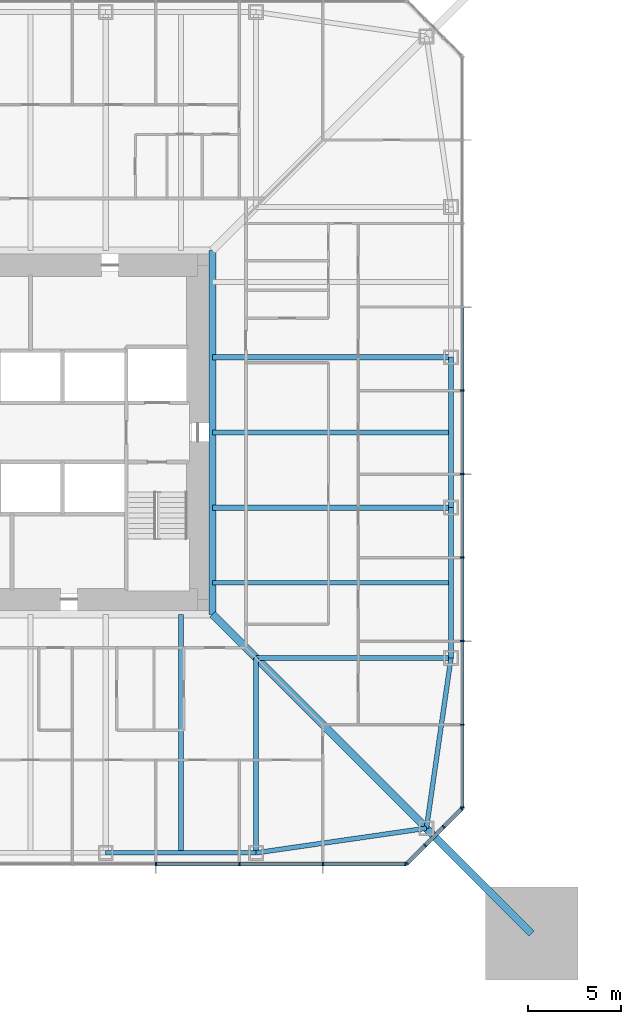
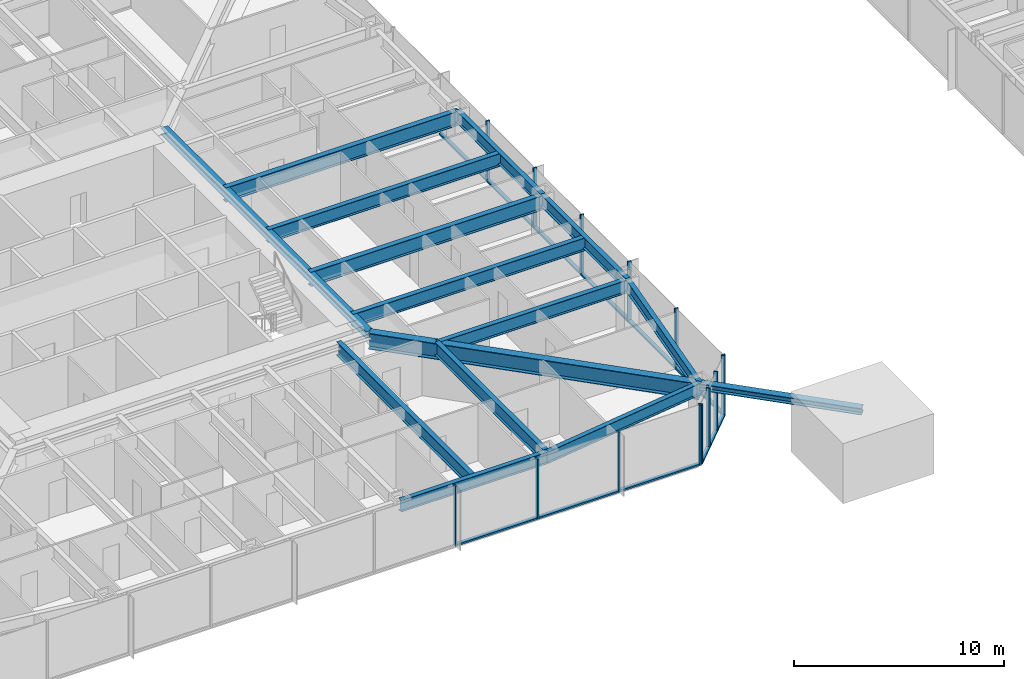
# One storey, part 5 of 26: 27 members, 14 beams, 3 elements without a shape of their own.
"""IFC4 building model written with IfcOpenShell, lengths in metres."""

from ifc_helpers import new_model, si_unit, direction, frame, origin, origin_2d, place, context, subcontext, project, spatial, rectangle, i_section, extrude, material, material_profile, profile_set, type_object, element, aggregate, save


model = new_model("IFC4")

# Units and contexts
model_context = context("Model", 3, precision=1e-05, world=origin(), true_north=direction((0.0, 1.0)))
body_context = subcontext(model_context, "Body", "Model", "MODEL_VIEW")
ifc_project = project(units=[si_unit("LENGTHUNIT", "METRE"), si_unit("AREAUNIT", "SQUARE_METRE"), si_unit("VOLUMEUNIT", "CUBIC_METRE"), si_unit("PLANEANGLEUNIT", "RADIAN"), si_unit("MASSUNIT", "GRAM", prefix="KILO")], contexts=[model_context])

# Site, building, storey
site_placement = place(None, origin())
site = spatial("IfcSite", under=ifc_project, at=site_placement, CompositionType="ELEMENT")
building_placement = place(site_placement, origin())
building = spatial("IfcBuilding", under=site, at=building_placement, Name="Iwan Alto Co-Living Towers", CompositionType="ELEMENT")
storey_placement = place(building_placement, frame((0.0, 0.0, 60.5)))
storey = spatial("IfcBuildingStorey", under=building, at=storey_placement, Name="L16", CompositionType="ELEMENT", Elevation=60.5)

# Curtain wall, members
ifc_material_1 = material(Name="Bronze aluminium unitised frame", Category="aluminium")
curtain_wall_type_1 = type_object("IfcCurtainWallType", Name="CURTAIN WALL CW-A", PredefinedType="NOTDEFINED", material=ifc_material_1)
curtain_wall_1_placement = place(storey_placement, origin())
curtain_wall_1 = element("IfcCurtainWall", 1, at=curtain_wall_1_placement, inside=storey, type_object=curtain_wall_type_1, Name="T1 curtain wall S L16", PredefinedType="NOTDEFINED")
ifc_material_2 = material(Name="Aluminium 6063-T6 bronze anodised", Category="aluminium")
ifc_material_profile_1 = material_profile(ifc_material_2, rectangle(XDim=0.199951171875, YDim=0.080078125, at=origin_2d()), Name="AL 80X200")
ifc_profile_set_1 = profile_set([ifc_material_profile_1], Name="Aluminium 6063-T6 bronze anodised")
member_type_1 = type_object("IfcMemberType", Name="CW-A MULLION 80X200", PredefinedType="MULLION", material=ifc_profile_set_1)
member_1_placement = place(storey_placement, frame((6.75, -23.25, 0.0), z_axis=(0.0, 0.0, 1.0), x_axis=(0.0, 1.0, 0.0)))
member_1 = element("IfcMember", 2, at=member_1_placement, type_object=member_type_1, Name="CW-A mullion 7", PredefinedType="MULLION", context=body_context, shape_type="SweptSolid", body=[
    extrude(rectangle(XDim=0.199951171875, YDim=0.080078125, at=origin_2d()), origin(), (0.0, 0.0, 1.0), 3.5),
])
member_2_placement = place(storey_placement, frame((11.25, -23.25, 0.0), z_axis=(0.0, 0.0, 1.0), x_axis=(0.0, 1.0, 0.0)))
member_2 = element("IfcMember", 3, at=member_2_placement, type_object=member_type_1, Name="CW-A mullion 8", PredefinedType="MULLION", context=body_context, shape_type="SweptSolid", body=[
    extrude(rectangle(XDim=0.199951171875, YDim=0.080078125, at=origin_2d()), origin(), (0.0, 0.0, 1.0), 3.5),
])
member_3_placement = place(storey_placement, frame((15.75, -23.25, 0.0), z_axis=(0.0, 0.0, 1.0), x_axis=(0.0, 1.0, 0.0)))
member_3 = element("IfcMember", 4, at=member_3_placement, type_object=member_type_1, Name="CW-A mullion 9", PredefinedType="MULLION", context=body_context, shape_type="SweptSolid", body=[
    extrude(rectangle(XDim=0.199951171875, YDim=0.080078125, at=origin_2d()), origin(), (0.0, 0.0, 1.0), 3.5),
])
member_4_placement = place(storey_placement, frame((20.2099609375, -23.25, 0.0), z_axis=(0.0, 0.0, 1.0), x_axis=(0.0, 1.0, 0.0)))
member_4 = element("IfcMember", 5, at=member_4_placement, type_object=member_type_1, Name="CW-A mullion 10", PredefinedType="MULLION", context=body_context, shape_type="SweptSolid", body=[
    extrude(rectangle(XDim=0.199951171875, YDim=0.080078125, at=origin_2d()), origin(), (0.0, 0.0, 1.0), 3.5),
])

curtain_wall_2_placement = place(storey_placement, origin())
curtain_wall_2 = element("IfcCurtainWall", 6, at=curtain_wall_2_placement, inside=storey, type_object=curtain_wall_type_1, Name="T1 curtain wall E L16", PredefinedType="NOTDEFINED")
member_5_placement = place(storey_placement, frame((23.25, -20.2099609375, 0.0), z_axis=(0.0, 0.0, 1.0), x_axis=(-1.0, 0.0, 0.0)))
member_5 = element("IfcMember", 7, at=member_5_placement, type_object=member_type_1, Name="CW-A mullion 1", PredefinedType="MULLION", context=body_context, shape_type="SweptSolid", body=[
    extrude(rectangle(XDim=0.199951171875, YDim=0.080078125, at=origin_2d()), origin(), (0.0, 0.0, 1.0), 3.5),
])
member_6_placement = place(storey_placement, frame((23.25, -15.75, 0.0), z_axis=(0.0, 0.0, 1.0), x_axis=(-1.0, 0.0, 0.0)))
member_6 = element("IfcMember", 8, at=member_6_placement, type_object=member_type_1, Name="CW-A mullion 2", PredefinedType="MULLION", context=body_context, shape_type="SweptSolid", body=[
    extrude(rectangle(XDim=0.199951171875, YDim=0.080078125, at=origin_2d()), origin(), (0.0, 0.0, 1.0), 3.5),
])
member_7_placement = place(storey_placement, frame((23.25, -11.25, 0.0), z_axis=(0.0, 0.0, 1.0), x_axis=(-1.0, 0.0, 0.0)))
member_7 = element("IfcMember", 9, at=member_7_placement, type_object=member_type_1, Name="CW-A mullion 3", PredefinedType="MULLION", context=body_context, shape_type="SweptSolid", body=[
    extrude(rectangle(XDim=0.199951171875, YDim=0.080078125, at=origin_2d()), origin(), (0.0, 0.0, 1.0), 3.5),
])
member_8_placement = place(storey_placement, frame((23.25, -6.75, 0.0), z_axis=(0.0, 0.0, 1.0), x_axis=(-1.0, 0.0, 0.0)))
member_8 = element("IfcMember", 10, at=member_8_placement, type_object=member_type_1, Name="CW-A mullion 4", PredefinedType="MULLION", context=body_context, shape_type="SweptSolid", body=[
    extrude(rectangle(XDim=0.199951171875, YDim=0.080078125, at=origin_2d()), origin(), (0.0, 0.0, 1.0), 3.5),
])
member_9_placement = place(storey_placement, frame((23.25, -2.25, 0.0), z_axis=(0.0, 0.0, 1.0), x_axis=(-1.0, 0.0, 0.0)))
member_9 = element("IfcMember", 11, at=member_9_placement, type_object=member_type_1, Name="CW-A mullion 5", PredefinedType="MULLION", context=body_context, shape_type="SweptSolid", body=[
    extrude(rectangle(XDim=0.199951171875, YDim=0.080078125, at=origin_2d()), origin(), (0.0, 0.0, 1.0), 3.5),
])
member_10_placement = place(storey_placement, frame((23.25, 2.25, 0.0), z_axis=(0.0, 0.0, 1.0), x_axis=(-1.0, 0.0, 0.0)))
member_10 = element("IfcMember", 12, at=member_10_placement, type_object=member_type_1, Name="CW-A mullion 6", PredefinedType="MULLION", context=body_context, shape_type="SweptSolid", body=[
    extrude(rectangle(XDim=0.199951171875, YDim=0.080078125, at=origin_2d()), origin(), (0.0, 0.0, 1.0), 3.5),
])

# Member
ifc_material_3 = material(Name="Aluminium 6063-T6 bronze anodised", Category="aluminium")
ifc_material_profile_2 = material_profile(ifc_material_3, rectangle(XDim=0.199951171875, YDim=0.10009765625, at=origin_2d()), Name="AL 200X100")
ifc_profile_set_2 = profile_set([ifc_material_profile_2], Name="Aluminium 6063-T6 bronze anodised")
member_type_2 = type_object("IfcMemberType", Name="CW-A TRANSOM 200X100", PredefinedType="USERDEFINED", material=ifc_profile_set_2)
member_11_placement = place(storey_placement, frame((6.7900390625, -23.25, 0.050048828125), z_axis=(1.0, 0.0, 0.0), x_axis=(0.0, 1.0, 0.0)))
member_11 = element("IfcMember", 13, at=member_11_placement, type_object=member_type_2, Name="CW-A transom 7.1", ObjectType="TRANSOM", PredefinedType="USERDEFINED", context=body_context, shape_type="SweptSolid", body=[
    extrude(rectangle(XDim=0.199951171875, YDim=0.10009765625, at=origin_2d()), origin(), (0.0, 0.0, 1.0), 4.419921875),
])

member_12_placement = place(storey_placement, frame((11.2900390625, -23.25, 0.050048828125), z_axis=(1.0, 0.0, 0.0), x_axis=(0.0, 1.0, 0.0)))
member_12 = element("IfcMember", 14, at=member_12_placement, type_object=member_type_2, Name="CW-A transom 8.1", ObjectType="TRANSOM", PredefinedType="USERDEFINED", context=body_context, shape_type="SweptSolid", body=[
    extrude(rectangle(XDim=0.199951171875, YDim=0.10009765625, at=origin_2d()), origin(), (0.0, 0.0, 1.0), 4.419921875),
])

member_13_placement = place(storey_placement, frame((15.7900390625, -23.25, 0.050048828125), z_axis=(1.0, 0.0, 0.0), x_axis=(0.0, 1.0, 0.0)))
member_13 = element("IfcMember", 15, at=member_13_placement, type_object=member_type_2, Name="CW-A transom 9.1", ObjectType="TRANSOM", PredefinedType="USERDEFINED", context=body_context, shape_type="SweptSolid", body=[
    extrude(rectangle(XDim=0.199951171875, YDim=0.10009765625, at=origin_2d()), origin(), (0.0, 0.0, 1.0), 4.3798828125),
])

aggregate(curtain_wall_1, [member_1, member_2, member_3, member_4, member_11, member_12, member_13])

member_14_placement = place(storey_placement, frame((23.25, -20.169921875, 0.050048828125), z_axis=(0.0, 1.0, 0.0), x_axis=(-1.0, 0.0, 0.0)))
member_14 = element("IfcMember", 16, at=member_14_placement, type_object=member_type_2, Name="CW-A transom 1.1", ObjectType="TRANSOM", PredefinedType="USERDEFINED", context=body_context, shape_type="SweptSolid", body=[
    extrude(rectangle(XDim=0.199951171875, YDim=0.10009765625, at=origin_2d()), origin(), (0.0, 0.0, 1.0), 4.3798828125),
])

member_15_placement = place(storey_placement, frame((23.25, -15.7099609375, 0.050048828125), z_axis=(0.0, 1.0, 0.0), x_axis=(-1.0, 0.0, 0.0)))
member_15 = element("IfcMember", 17, at=member_15_placement, type_object=member_type_2, Name="CW-A transom 2.1", ObjectType="TRANSOM", PredefinedType="USERDEFINED", context=body_context, shape_type="SweptSolid", body=[
    extrude(rectangle(XDim=0.199951171875, YDim=0.10009765625, at=origin_2d()), origin(), (0.0, 0.0, 1.0), 4.419921875),
])

member_16_placement = place(storey_placement, frame((23.25, -11.2099609375, 0.050048828125), z_axis=(0.0, 1.0, 0.0), x_axis=(-1.0, 0.0, 0.0)))
member_16 = element("IfcMember", 18, at=member_16_placement, type_object=member_type_2, Name="CW-A transom 3.1", ObjectType="TRANSOM", PredefinedType="USERDEFINED", context=body_context, shape_type="SweptSolid", body=[
    extrude(rectangle(XDim=0.199951171875, YDim=0.10009765625, at=origin_2d()), origin(), (0.0, 0.0, 1.0), 4.419921875),
])

member_17_placement = place(storey_placement, frame((23.25, -6.7099609375, 0.050048828125), z_axis=(0.0, 1.0, 0.0), x_axis=(-1.0, 0.0, 0.0)))
member_17 = element("IfcMember", 19, at=member_17_placement, type_object=member_type_2, Name="CW-A transom 4.1", ObjectType="TRANSOM", PredefinedType="USERDEFINED", context=body_context, shape_type="SweptSolid", body=[
    extrude(rectangle(XDim=0.199951171875, YDim=0.10009765625, at=origin_2d()), origin(), (0.0, 0.0, 1.0), 4.419921875),
])

member_18_placement = place(storey_placement, frame((23.25, -2.2099609375, 0.050048828125), z_axis=(0.0, 1.0, 0.0), x_axis=(-1.0, 0.0, 0.0)))
member_18 = element("IfcMember", 20, at=member_18_placement, type_object=member_type_2, Name="CW-A transom 5.1", ObjectType="TRANSOM", PredefinedType="USERDEFINED", context=body_context, shape_type="SweptSolid", body=[
    extrude(rectangle(XDim=0.199951171875, YDim=0.10009765625, at=origin_2d()), origin(), (0.0, 0.0, 1.0), 4.419921875),
])

member_19_placement = place(storey_placement, frame((23.25, 2.2900390625, 0.050048828125), z_axis=(0.0, 1.0, 0.0), x_axis=(-1.0, 0.0, 0.0)))
member_19 = element("IfcMember", 21, at=member_19_placement, type_object=member_type_2, Name="CW-A transom 6.1", ObjectType="TRANSOM", PredefinedType="USERDEFINED", context=body_context, shape_type="SweptSolid", body=[
    extrude(rectangle(XDim=0.199951171875, YDim=0.10009765625, at=origin_2d()), origin(), (0.0, 0.0, 1.0), 4.419921875),
])

aggregate(curtain_wall_2, [member_5, member_6, member_7, member_8, member_9, member_10, member_14, member_15, member_16, member_17, member_18, member_19])

# Curtain wall, members
ifc_material_4 = material(Name="Bronze aluminium unitised frame", Category="aluminium")
curtain_wall_type_2 = type_object("IfcCurtainWallType", Name="CURTAIN WALL CW-B", PredefinedType="NOTDEFINED", material=ifc_material_4)
curtain_wall_3_placement = place(storey_placement, origin())
curtain_wall_3 = element("IfcCurtainWall", 22, at=curtain_wall_3_placement, inside=storey, type_object=curtain_wall_type_2, Name="T1 chamfer curtain wall SE L16", PredefinedType="NOTDEFINED")
ifc_material_5 = material(Name="Aluminium 6063-T6 bronze anodised", Category="aluminium")
ifc_material_profile_3 = material_profile(ifc_material_5, rectangle(XDim=0.199951171875, YDim=0.080078125, at=origin_2d()), Name="AL 80X200")
ifc_profile_set_3 = profile_set([ifc_material_profile_3], Name="Aluminium 6063-T6 bronze anodised")
member_type_3 = type_object("IfcMemberType", Name="CW-B MULLION 80X200", PredefinedType="MULLION", material=ifc_profile_set_3)
member_20_placement = place(storey_placement, frame((20.2783203125, -23.2216796875, 0.0), z_axis=(0.0, 0.0, 1.0), x_axis=(-0.707106781187, 0.707106781187, 0.0)))
member_20 = element("IfcMember", 23, at=member_20_placement, type_object=member_type_3, Name="CW-B mullion 1", PredefinedType="MULLION", context=body_context, shape_type="SweptSolid", body=[
    extrude(rectangle(XDim=0.199951171875, YDim=0.080078125, at=origin_2d()), origin(), (0.0, 0.0, 1.0), 3.5),
])
member_21_placement = place(storey_placement, frame((21.25, -22.25, 0.0), z_axis=(0.0, 0.0, 1.0), x_axis=(-0.707106781187, 0.707106781187, 0.0)))
member_21 = element("IfcMember", 24, at=member_21_placement, type_object=member_type_3, Name="CW-B mullion 2", PredefinedType="MULLION", context=body_context, shape_type="SweptSolid", body=[
    extrude(rectangle(XDim=0.199951171875, YDim=0.080078125, at=origin_2d()), origin(), (0.0, 0.0, 1.0), 3.5),
])
member_22_placement = place(storey_placement, frame((22.25, -21.25, 0.0), z_axis=(0.0, 0.0, 1.0), x_axis=(-0.707106781187, 0.707106781187, 0.0)))
member_22 = element("IfcMember", 25, at=member_22_placement, type_object=member_type_3, Name="CW-B mullion 3", PredefinedType="MULLION", context=body_context, shape_type="SweptSolid", body=[
    extrude(rectangle(XDim=0.199951171875, YDim=0.080078125, at=origin_2d()), origin(), (0.0, 0.0, 1.0), 3.5),
])
member_23_placement = place(storey_placement, frame((23.2216796875, -20.2783203125, 0.0), z_axis=(0.0, 0.0, 1.0), x_axis=(-0.707106781187, 0.707106781187, 0.0)))
member_23 = element("IfcMember", 26, at=member_23_placement, type_object=member_type_3, Name="CW-B mullion 4", PredefinedType="MULLION", context=body_context, shape_type="SweptSolid", body=[
    extrude(rectangle(XDim=0.199951171875, YDim=0.080078125, at=origin_2d()), origin(), (0.0, 0.0, 1.0), 3.5),
])
ifc_material_6 = material(Name="Aluminium 6063-T6 bronze anodised", Category="aluminium")
ifc_material_profile_4 = material_profile(ifc_material_6, rectangle(XDim=0.199951171875, YDim=0.10009765625, at=origin_2d()), Name="AL 200X100")
ifc_profile_set_4 = profile_set([ifc_material_profile_4], Name="Aluminium 6063-T6 bronze anodised")
member_type_4 = type_object("IfcMemberType", Name="CW-B TRANSOM 200X100", PredefinedType="USERDEFINED", material=ifc_profile_set_4)
member_24_placement = place(storey_placement, frame((20.306640625, -23.193359375, 0.050048828125), z_axis=(0.707106781187, 0.707106781187, 0.0), x_axis=(-0.707106781187, 0.707106781187, 0.0)))
member_24 = element("IfcMember", 27, at=member_24_placement, type_object=member_type_4, Name="CW-B transom 1.1", ObjectType="TRANSOM", PredefinedType="USERDEFINED", context=body_context, shape_type="SweptSolid", body=[
    extrude(rectangle(XDim=0.199951171875, YDim=0.10009765625, at=origin_2d()), origin(), (0.0, 0.0, 1.0), 1.2939453125),
])
member_25_placement = place(storey_placement, frame((21.2783203125, -22.2216796875, 0.050048828125), z_axis=(0.707106781187, 0.707106781187, 0.0), x_axis=(-0.707106781187, 0.707106781187, 0.0)))
member_25 = element("IfcMember", 28, at=member_25_placement, type_object=member_type_4, Name="CW-B transom 2.1", ObjectType="TRANSOM", PredefinedType="USERDEFINED", context=body_context, shape_type="SweptSolid", body=[
    extrude(rectangle(XDim=0.199951171875, YDim=0.10009765625, at=origin_2d()), origin(), (0.0, 0.0, 1.0), 1.334228515625),
])
member_26_placement = place(storey_placement, frame((22.2783203125, -21.2216796875, 0.050048828125), z_axis=(0.707106781187, 0.707106781187, 0.0), x_axis=(-0.707106781187, 0.707106781187, 0.0)))
member_26 = element("IfcMember", 29, at=member_26_placement, type_object=member_type_4, Name="CW-B transom 3.1", ObjectType="TRANSOM", PredefinedType="USERDEFINED", context=body_context, shape_type="SweptSolid", body=[
    extrude(rectangle(XDim=0.199951171875, YDim=0.10009765625, at=origin_2d()), origin(), (0.0, 0.0, 1.0), 1.2939453125),
])
aggregate(curtain_wall_3, [member_20, member_21, member_22, member_23, member_24, member_25, member_26])

# Beams
ifc_material_7 = material(Name="Steel ASTM A992 Gr 50", Category="steel")
ifc_material_profile_5 = material_profile(ifc_material_7, i_section(OverallWidth=0.398681640625, OverallDepth=0.385986328125, WebThickness=0.02099609375, FlangeThickness=0.033203125, at=origin_2d()), Name="W14X176")
ifc_profile_set_5 = profile_set([ifc_material_profile_5], Name="Steel ASTM A992 Gr 50")
beam_type_1 = type_object("IfcBeamType", Name="T1 CORE LEDGER BEAM W14X176", PredefinedType="BEAM", material=ifc_profile_set_5)
beam_1_placement = place(storey_placement, frame((9.79931640625, -9.79931640625, 3.076904296875), z_axis=(0.0, 1.0, 0.0), x_axis=(-1.0, 0.0, 0.0)))
element("IfcBeam", 30, at=beam_1_placement, inside=storey, type_object=beam_type_1, Name="T1 core ledger beam E L17", PredefinedType="BEAM", context=body_context, shape_type="SweptSolid", body=[
    extrude(i_section(OverallWidth=0.398681640625, OverallDepth=0.385986328125, WebThickness=0.02099609375, FlangeThickness=0.033203125, at=origin_2d()), origin(), (0.0, 0.0, 1.0), 19.5986328125),
])
ifc_material_8 = material(Name="Steel ASTM A992 Gr 50", Category="steel")
ifc_material_profile_6 = material_profile(ifc_material_8, i_section(OverallWidth=0.419189453125, OverallDepth=0.927001953125, WebThickness=0.019287109375, FlangeThickness=0.031982421875, at=origin_2d()), Name="W36X231")
ifc_profile_set_6 = profile_set([ifc_material_profile_6], Name="Steel ASTM A992 Gr 50")
beam_type_2 = type_object("IfcBeamType", Name="T1 CORNER GIRDER W36X231", PredefinedType="BEAM", material=ifc_profile_set_6)
beam_2_placement = place(storey_placement, frame((21.32568359375, -21.32568359375, 2.806396484375), z_axis=(-0.707106781187, 0.707106781187, 0.0), x_axis=(-0.707106781187, -0.707106781187, 0.0)))
element("IfcBeam", 31, at=beam_2_placement, inside=storey, type_object=beam_type_2, Name="T1 corner girder CSE L17", PredefinedType="BEAM", context=body_context, shape_type="SweptSolid", body=[
    extrude(i_section(OverallWidth=0.419189453125, OverallDepth=0.927001953125, WebThickness=0.019287109375, FlangeThickness=0.031982421875, at=origin_2d()), origin(), (0.0, 0.0, 1.0), 16.30078125),
])
ifc_material_9 = material(Name="Steel ASTM A992 Gr 50", Category="steel")
ifc_material_profile_7 = material_profile(ifc_material_9, i_section(OverallWidth=0.25390625, OverallDepth=0.683349609375, WebThickness=0.012451171875, FlangeThickness=0.018798828125, at=origin_2d()), Name="W27X94")
ifc_profile_set_7 = profile_set([ifc_material_profile_7], Name="Steel ASTM A992 Gr 50")
beam_type_3 = type_object("IfcBeamType", Name="T1 EDGE BEAM W27X94", PredefinedType="BEAM", material=ifc_profile_set_7)
beam_3_placement = place(storey_placement, frame((4.050048828125, -22.64990234375, 2.928466796875), z_axis=(1.0, 0.0, 0.0), x_axis=(0.0, 1.0, 0.0)))
element("IfcBeam", 32, at=beam_3_placement, inside=storey, type_object=beam_type_3, Name="T1 edge beam S3 L17", PredefinedType="BEAM", context=body_context, shape_type="SweptSolid", body=[
    extrude(i_section(OverallWidth=0.25390625, OverallDepth=0.683349609375, WebThickness=0.012451171875, FlangeThickness=0.018798828125, at=origin_2d()), origin(), (0.0, 0.0, 1.0), 8.099853515625),
])
for number, where, z_axis, x_axis, name in (
    (33, (12.14990234375, -22.64990234375, 2.928466796875), (0.989746234347, 0.142836940589, 0.0), (-0.142836940589, 0.989746234347, 0.0), "T1 edge beam S4 L17"),
    (34, (21.32568359375, -21.32568359375, 2.928466796875), (0.142836940589, 0.989746234347, 0.0), (-0.989746234347, 0.142836940589, 0.0), "T1 edge beam CSE L17"),
):
    element("IfcBeam", number, at=place(storey_placement, frame(where, z_axis=z_axis, x_axis=x_axis)), inside=storey, type_object=beam_type_3, Name=name, PredefinedType="BEAM", context=body_context, shape_type="SweptSolid", body=[
        extrude(i_section(OverallWidth=0.25390625, OverallDepth=0.683349609375, WebThickness=0.012451171875, FlangeThickness=0.018798828125, at=origin_2d()), origin(), (0.0, 0.0, 1.0), 9.270751953125),
    ])
beam_4_placement = place(storey_placement, frame((22.64990234375, -12.14990234375, 2.928466796875), z_axis=(0.0, 1.0, 0.0), x_axis=(-1.0, 0.0, 0.0)))
element("IfcBeam", 35, at=beam_4_placement, inside=storey, type_object=beam_type_3, Name="T1 edge beam E1 L17", PredefinedType="BEAM", context=body_context, shape_type="SweptSolid", body=[
    extrude(i_section(OverallWidth=0.25390625, OverallDepth=0.683349609375, WebThickness=0.012451171875, FlangeThickness=0.018798828125, at=origin_2d()), origin(), (0.0, 0.0, 1.0), 8.099853515625),
])
beam_5_placement = place(storey_placement, frame((22.64990234375, -4.050048828125, 2.928466796875), z_axis=(0.0, 1.0, 0.0), x_axis=(-1.0, 0.0, 0.0)))
element("IfcBeam", 36, at=beam_5_placement, inside=storey, type_object=beam_type_3, Name="T1 edge beam E2 L17", PredefinedType="BEAM", context=body_context, shape_type="SweptSolid", body=[
    extrude(i_section(OverallWidth=0.25390625, OverallDepth=0.683349609375, WebThickness=0.012451171875, FlangeThickness=0.018798828125, at=origin_2d()), origin(), (0.0, 0.0, 1.0), 8.10009765625),
])

# Member
ifc_material_10 = material(Name="Steel ASTM A992 Gr 50", Category="steel")
ifc_material_profile_8 = material_profile(ifc_material_10, i_section(OverallWidth=0.393798828125, OverallDepth=0.3759765625, WebThickness=0.017333984375, FlangeThickness=0.027587890625, at=origin_2d()), Name="W14X145")
ifc_profile_set_8 = profile_set([ifc_material_profile_8], Name="Steel ASTM A992 Gr 50")
member_type_5 = type_object("IfcMemberType", Name="T1 MEGA COLUMN FLOOR TIE W14X145", PredefinedType="STRUT", material=ifc_profile_set_8)
member_27_placement = place(storey_placement, frame((27.0, -27.0, 3.08203125), z_axis=(-0.707106781187, 0.707106781187, 0.0), x_axis=(-0.707106781187, -0.707106781187, 0.0)))
element("IfcMember", 37, at=member_27_placement, inside=storey, type_object=member_type_5, Name="T1 mega column floor tie SE L17", PredefinedType="STRUT", context=body_context, shape_type="SweptSolid", body=[
    extrude(i_section(OverallWidth=0.393798828125, OverallDepth=0.3759765625, WebThickness=0.017333984375, FlangeThickness=0.027587890625, at=origin_2d()), origin(), (0.0, 0.0, 1.0), 8.024658203125),
])

# Beams
ifc_material_11 = material(Name="Steel ASTM A992 Gr 50", Category="steel")
ifc_material_profile_9 = material_profile(ifc_material_11, i_section(OverallWidth=0.2666015625, OverallDepth=0.761962890625, WebThickness=0.014404296875, FlangeThickness=0.021484375, at=origin_2d()), Name="W30X116")
ifc_profile_set_9 = profile_set([ifc_material_profile_9], Name="Steel ASTM A992 Gr 50")
beam_type_4 = type_object("IfcBeamType", Name="T1 RADIAL BEAM W30X116", PredefinedType="BEAM", material=ifc_profile_set_9)
for number, where, z_axis, x_axis, name in (
    (38, (12.14990234375, -22.64990234375, 2.888916015625), (0.0, 1.0, 0.0), (-1.0, 0.0, 0.0), "T1 radial beam S4 L17"),
    (39, (22.64990234375, -12.14990234375, 2.888916015625), (-1.0, 0.0, 0.0), (0.0, -1.0, 0.0), "T1 radial beam E1 L17"),
):
    element("IfcBeam", number, at=place(storey_placement, frame(where, z_axis=z_axis, x_axis=x_axis)), inside=storey, type_object=beam_type_4, Name=name, PredefinedType="BEAM", context=body_context, shape_type="SweptSolid", body=[
        extrude(i_section(OverallWidth=0.2666015625, OverallDepth=0.761962890625, WebThickness=0.014404296875, FlangeThickness=0.021484375, at=origin_2d()), origin(), (0.0, 0.0, 1.0), 10.5),
    ])
ifc_material_12 = material(Name="Steel ASTM A992 Gr 50", Category="steel")
ifc_material_profile_10 = material_profile(ifc_material_12, i_section(OverallWidth=0.2919921875, OverallDepth=0.8408203125, WebThickness=0.0146484375, FlangeThickness=0.021728515625, at=origin_2d()), Name="W33X130")
ifc_profile_set_10 = profile_set([ifc_material_profile_10], Name="Steel ASTM A992 Gr 50")
beam_type_5 = type_object("IfcBeamType", Name="T1 RADIAL BEAM W33X130", PredefinedType="BEAM", material=ifc_profile_set_10)
for number, where, z_axis, x_axis, name in (
    (40, (22.64990234375, -4.050048828125, 2.849609375), (-1.0, 0.0, 0.0), (0.0, -1.0, 0.0), "T1 radial beam E2 L17"),
    (41, (22.64990234375, 4.050048828125, 2.849609375), (-1.0, 0.0, 0.0), (0.0, -1.0, 0.0), "T1 radial beam E3 L17"),
):
    element("IfcBeam", number, at=place(storey_placement, frame(where, z_axis=z_axis, x_axis=x_axis)), inside=storey, type_object=beam_type_5, Name=name, PredefinedType="BEAM", context=body_context, shape_type="SweptSolid", body=[
        extrude(i_section(OverallWidth=0.2919921875, OverallDepth=0.8408203125, WebThickness=0.0146484375, FlangeThickness=0.021728515625, at=origin_2d()), origin(), (0.0, 0.0, 1.0), 12.8505859375),
    ])
ifc_material_13 = material(Name="Steel ASTM A992 Gr 50", Category="steel")
ifc_material_profile_11 = material_profile(ifc_material_13, i_section(OverallWidth=0.2666015625, OverallDepth=0.761962890625, WebThickness=0.014404296875, FlangeThickness=0.021484375, at=origin_2d()), Name="W30X116")
ifc_profile_set_11 = profile_set([ifc_material_profile_11], Name="Steel ASTM A992 Gr 50")
beam_type_6 = type_object("IfcBeamType", Name="T1 SECONDARY BEAM W30X116", PredefinedType="JOIST", material=ifc_profile_set_11)
for number, where, z_axis, x_axis, name in (
    (42, (8.10009765625, -22.64990234375, 2.888916015625), (0.0, 1.0, 0.0), (-1.0, 0.0, 0.0), "T1 secondary beam S3 L17"),
    (43, (22.64990234375, -8.10009765625, 2.888916015625), (-1.0, 0.0, 0.0), (0.0, -1.0, 0.0), "T1 secondary beam E1 L17"),
    (44, (22.64990234375, 0.0, 2.888916015625), (-1.0, 0.0, 0.0), (0.0, -1.0, 0.0), "T1 secondary beam E2 L17"),
):
    element("IfcBeam", number, at=place(storey_placement, frame(where, z_axis=z_axis, x_axis=x_axis)), inside=storey, type_object=beam_type_6, Name=name, PredefinedType="JOIST", context=body_context, shape_type="SweptSolid", body=[
        extrude(i_section(OverallWidth=0.2666015625, OverallDepth=0.761962890625, WebThickness=0.014404296875, FlangeThickness=0.021484375, at=origin_2d()), origin(), (0.0, 0.0, 1.0), 12.8505859375),
    ])

save(model, "model.ifc")
